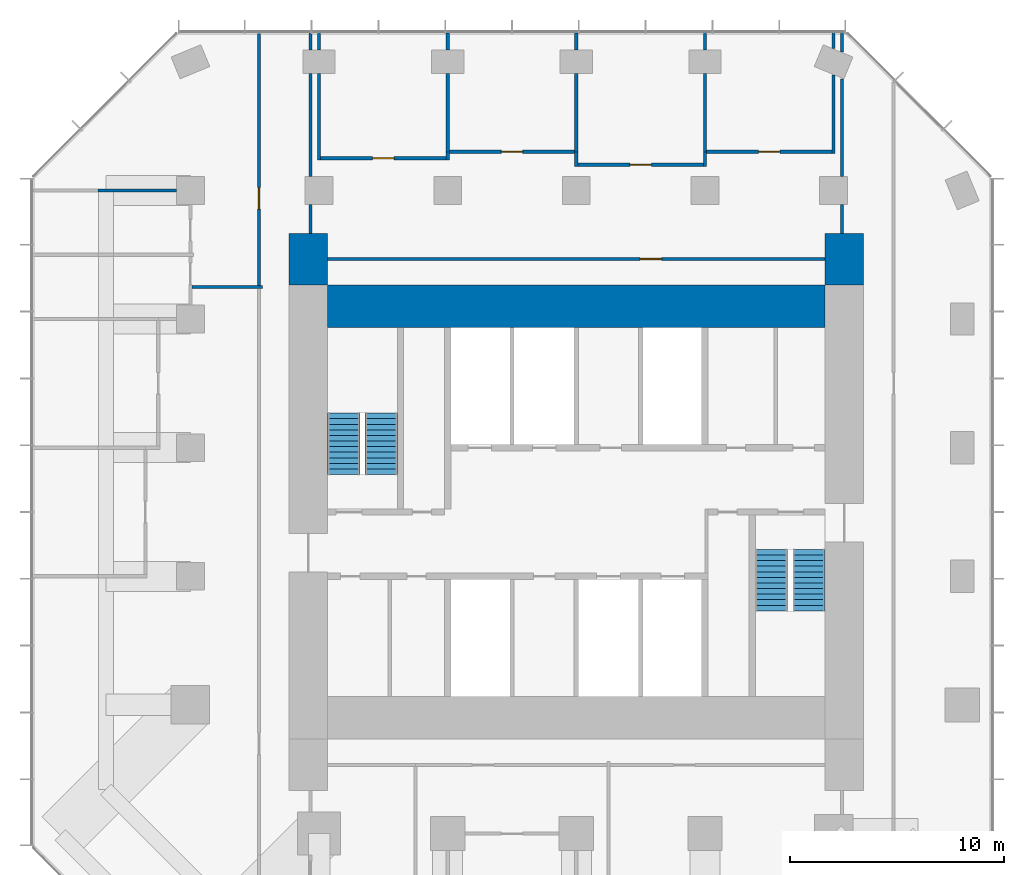
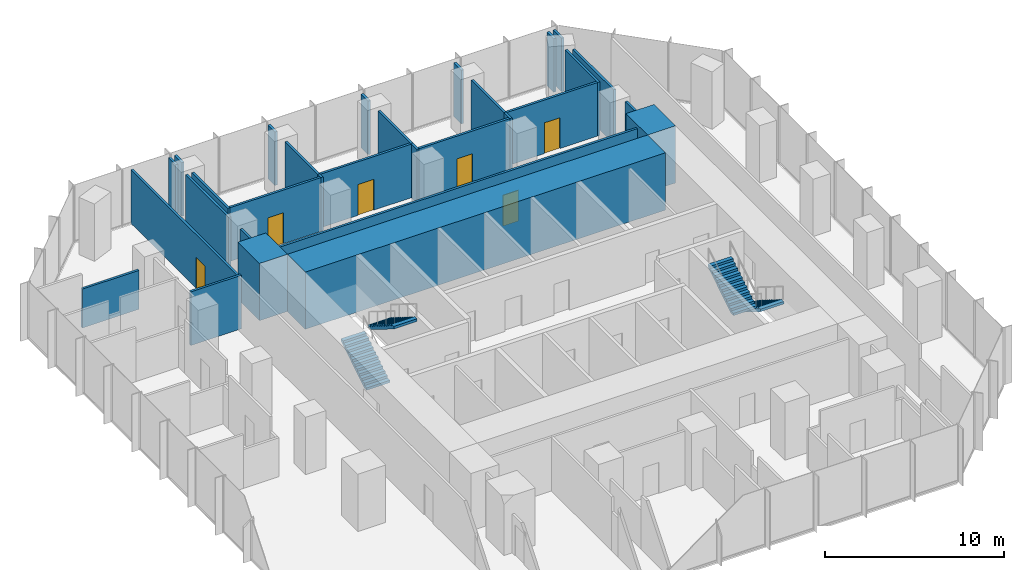
# One storey, part 10 of 11: 30 walls, 6 doors, 4 stair flights, 6 openings, 2 elements without a shape of their own.
"""IFC4 building model written with IfcOpenShell, lengths in metres."""

from ifc_helpers import new_model, si_unit, direction, frame, frame_2d, origin, place, context, subcontext, project, spatial, polyline, rectangle, outline, extrude, material, layer, layer_set, type_object, element, fill, aggregate, save


model = new_model("IFC4")

# Units and contexts
model_context = context("Model", 3, precision=1e-05, world=origin(), true_north=direction((0.0, 1.0)))
body_context = subcontext(model_context, "Body", "Model", "MODEL_VIEW")
ifc_project = project(units=[si_unit("LENGTHUNIT", "METRE"), si_unit("AREAUNIT", "SQUARE_METRE"), si_unit("VOLUMEUNIT", "CUBIC_METRE"), si_unit("PLANEANGLEUNIT", "RADIAN"), si_unit("MASSUNIT", "GRAM", prefix="KILO")], contexts=[model_context])

# Site, building, storey
site_placement = place(None, origin())
site = spatial("IfcSite", under=ifc_project, at=site_placement, CompositionType="ELEMENT")
building_placement = place(site_placement, origin())
building = spatial("IfcBuilding", under=site, at=building_placement, Name="Highveld Stack Headquarters", CompositionType="ELEMENT")
storey_placement = place(building_placement, frame((0.0, 0.0, 216.199951171875)))
storey = spatial("IfcBuildingStorey", under=building, at=storey_placement, Name="L53", CompositionType="ELEMENT", Elevation=216.199951171875)

# Walls
ifc_material_1 = material(Name="Concrete C60/75", Category="concrete")
ifc_layer_1 = layer(ifc_material_1, 2.0)
ifc_layer_set_1 = layer_set([ifc_layer_1], Name="Concrete C60/75")
wall_type_1 = type_object("IfcWallType", Name="CORE WALL 2000 C60/75", PredefinedType="SHEAR", material=ifc_layer_set_1)
wall_1_placement = place(storey_placement, frame((-5.60009765625, 12.60009765625, 0.0), z_axis=(0.0, 0.0, 1.0), x_axis=(1.0, 0.0, 0.0)))
element("IfcWall", 1, at=wall_1_placement, inside=storey, type_object=wall_type_1, Name="Core wall N L53", PredefinedType="SHEAR", context=body_context, shape_type="SweptSolid", body=[
    extrude(rectangle(XDim=23.2001953125, YDim=2.0, at=frame_2d((11.60009765625, 0.0))), origin(), (0.0, 0.0, 1.0), 3.900146484375),
])
ifc_material_2 = material(Name="Concrete C60/75", Category="concrete")
ifc_layer_2 = layer(ifc_material_2, 1.800048828125)
ifc_layer_set_2 = layer_set([ifc_layer_2], Name="Concrete C60/75")
wall_type_2 = type_object("IfcWallType", Name="CORE WING WALL 1800 C60/75", PredefinedType="SHEAR", material=ifc_layer_set_2)
for number, where, z_axis, x_axis, name in (
    (2, (-6.5, 13.60009765625, 0.0), (0.0, 0.0, 1.0), (0.0, 1.0, 0.0), "Core wing wall WN L53"),
    (3, (18.5, 13.60009765625, 0.0), (0.0, 0.0, 1.0), (0.0, 1.0, 0.0), "Core wing wall EN L53"),
):
    element("IfcWall", number, at=place(storey_placement, frame(where, z_axis=z_axis, x_axis=x_axis)), inside=storey, type_object=wall_type_2, Name=name, PredefinedType="SHEAR", context=body_context, shape_type="SweptSolid", body=[
        extrude(rectangle(XDim=2.39990234375, YDim=1.800048828125, at=frame_2d((1.199951171875, 0.0))), origin(), (0.0, 0.0, 1.0), 3.900146484375),
    ])
ifc_material_3 = material(Name="Gypsum plasterboard on steel studs", Category="steel")
ifc_layer_3 = layer(ifc_material_3, 0.14990234375)
ifc_layer_set_3 = layer_set([ifc_layer_3], Name="Gypsum plasterboard on steel studs")
wall_type_3 = type_object("IfcWallType", Name="PARTITION 150 PLASTERBOARD", PredefinedType="PARTITIONING", material=ifc_layer_set_3)
wall_2_placement = place(storey_placement, frame((-16.31005859375, 18.0, 0.0), z_axis=(0.0, 0.0, 1.0), x_axis=(1.0, 0.0, 0.0)))
element("IfcWall", 4, at=wall_2_placement, inside=storey, type_object=wall_type_3, Name="Partition Office L53", PredefinedType="PARTITIONING", context=body_context, shape_type="SweptSolid", body=[
    extrude(rectangle(XDim=3.66015625, YDim=0.14990234375, at=frame_2d((1.830078125, 0.0))), origin(), (0.0, 0.0, 1.0), 2.650146484375),
])

# Wall, opening, door
wall_3_placement = place(storey_placement, frame((6.074951171875, 19.199951171875, 0.0), z_axis=(0.0, 0.0, 1.0), x_axis=(1.0, 0.0, 0.0)))
wall_3 = element("IfcWall", 5, at=wall_3_placement, inside=storey, type_object=wall_type_3, Name="Partition Tea kitchen L53", PredefinedType="PARTITIONING", context=body_context, shape_type="SweptSolid", body=[
    extrude(rectangle(XDim=5.85009765625, YDim=0.14990234375, at=frame_2d((2.925048828125, 0.0))), origin(), (0.0, 0.0, 1.0), 3.650146484375),
])
opening_1_placement = place(wall_3_placement, frame((2.425048828125, 0.0, 0.0)))
opening_1 = element("IfcOpeningElement", 6, at=opening_1_placement, cuts=wall_3, Name="Opening L53-21", PredefinedType="OPENING", context=body_context, shape_type="SweptSolid", body=[
    extrude(rectangle(XDim=1.0, YDim=2.10009765625, at=frame_2d((0.5, 1.050048828125))), frame((0.0, 0.0849609375, 0.0), z_axis=(0.0, -1.0, 0.0), x_axis=(1.0, 0.0, 0.0)), (0.0, 0.0, 1.0), 0.169921875),
])
ifc_material_4 = material(Name="Timber door, oiled ash", Category="wood")
door_type = type_object("IfcDoorType", Name="ROOM DOOR D6 1000x2100", OperationType="SINGLE_SWING_LEFT", PredefinedType="DOOR", material=ifc_material_4)
door_1_placement = place(opening_1_placement, origin())
door_1 = element("IfcDoor", 7, at=door_1_placement, inside=storey, type_object=door_type, Name="Tea kitchen door 1 L53", OperationType="SINGLE_SWING_RIGHT", OverallHeight=2.10009765625, OverallWidth=1.0, PredefinedType="DOOR", context=body_context, shape_type="SweptSolid", body=[
    extrude(rectangle(XDim=1.0, YDim=2.10009765625, at=frame_2d((0.5, 1.050048828125))), frame((0.0, 0.02490234375, 0.0), z_axis=(0.0, -1.0, 0.0), x_axis=(1.0, 0.0, 0.0)), (0.0, 0.0, 1.0), 0.050048828125),
])
fill(opening_1, door_1)

wall_4_placement = place(storey_placement, frame((-5.925048828125, 19.5, 0.0), z_axis=(0.0, 0.0, 1.0), x_axis=(1.0, 0.0, 0.0)))
wall_4 = element("IfcWall", 8, at=wall_4_placement, inside=storey, type_object=wall_type_3, Name="Partition Meeting room L53", PredefinedType="PARTITIONING", context=body_context, shape_type="SweptSolid", body=[
    extrude(rectangle(XDim=5.85009765625, YDim=0.14990234375, at=frame_2d((2.925048828125, 0.0))), origin(), (0.0, 0.0, 1.0), 3.650146484375),
])
opening_2_placement = place(wall_4_placement, frame((2.425048828125, 0.0, 0.0)))
opening_2 = element("IfcOpeningElement", 9, at=opening_2_placement, cuts=wall_4, Name="Opening L53-19", PredefinedType="OPENING", context=body_context, shape_type="SweptSolid", body=[
    extrude(rectangle(XDim=1.0, YDim=2.10009765625, at=frame_2d((0.5, 1.050048828125))), frame((0.0, 0.0849609375, 0.0), z_axis=(0.0, -1.0, 0.0), x_axis=(1.0, 0.0, 0.0)), (0.0, 0.0, 1.0), 0.169921875),
])
door_2_placement = place(opening_2_placement, origin())
door_2 = element("IfcDoor", 10, at=door_2_placement, inside=storey, type_object=door_type, Name="Meeting room door 1 L53", OperationType="SINGLE_SWING_LEFT", OverallHeight=2.10009765625, OverallWidth=1.0, PredefinedType="DOOR", context=body_context, shape_type="SweptSolid", body=[
    extrude(rectangle(XDim=1.0, YDim=2.10009765625, at=frame_2d((0.5, 1.050048828125))), frame((0.0, 0.02490234375, 0.0), z_axis=(0.0, -1.0, 0.0), x_axis=(1.0, 0.0, 0.0)), (0.0, 0.0, 1.0), 0.050048828125),
])
fill(opening_2, door_2)

wall_5_placement = place(storey_placement, frame((0.074951171875, 19.800048828125, 0.0), z_axis=(0.0, 0.0, 1.0), x_axis=(1.0, 0.0, 0.0)))
wall_5 = element("IfcWall", 11, at=wall_5_placement, inside=storey, type_object=wall_type_3, Name="Partition Print room L53", PredefinedType="PARTITIONING", context=body_context, shape_type="SweptSolid", body=[
    extrude(rectangle(XDim=5.85009765625, YDim=0.14990234375, at=frame_2d((2.925048828125, 0.0))), origin(), (0.0, 0.0, 1.0), 3.650146484375),
])
opening_3_placement = place(wall_5_placement, frame((2.425048828125, 0.0, 0.0)))
opening_3 = element("IfcOpeningElement", 12, at=opening_3_placement, cuts=wall_5, Name="Opening L53-20", PredefinedType="OPENING", context=body_context, shape_type="SweptSolid", body=[
    extrude(rectangle(XDim=1.0, YDim=2.10009765625, at=frame_2d((0.5, 1.050048828125))), frame((0.0, 0.0849609375, 0.0), z_axis=(0.0, -1.0, 0.0), x_axis=(1.0, 0.0, 0.0)), (0.0, 0.0, 1.0), 0.169921875),
])
door_3_placement = place(opening_3_placement, origin())
door_3 = element("IfcDoor", 13, at=door_3_placement, inside=storey, type_object=door_type, Name="Print room door 1 L53", OperationType="SINGLE_SWING_LEFT", OverallHeight=2.10009765625, OverallWidth=1.0, PredefinedType="DOOR", context=body_context, shape_type="SweptSolid", body=[
    extrude(rectangle(XDim=1.0, YDim=2.10009765625, at=frame_2d((0.5, 1.050048828125))), frame((0.0, 0.02490234375, 0.0), z_axis=(0.0, -1.0, 0.0), x_axis=(1.0, 0.0, 0.0)), (0.0, 0.0, 1.0), 0.050048828125),
])
fill(opening_3, door_3)

wall_6_placement = place(storey_placement, frame((12.074951171875, 19.800048828125, 0.0), z_axis=(0.0, 0.0, 1.0), x_axis=(1.0, 0.0, 0.0)))
wall_6 = element("IfcWall", 14, at=wall_6_placement, inside=storey, type_object=wall_type_3, Name="Partition Print room L53", PredefinedType="PARTITIONING", context=body_context, shape_type="SweptSolid", body=[
    extrude(rectangle(XDim=5.85009765625, YDim=0.14990234375, at=frame_2d((2.925048828125, 0.0))), origin(), (0.0, 0.0, 1.0), 3.650146484375),
])
opening_4_placement = place(wall_6_placement, frame((2.425048828125, 0.0, 0.0)))
opening_4 = element("IfcOpeningElement", 15, at=opening_4_placement, cuts=wall_6, Name="Opening L53-22", PredefinedType="OPENING", context=body_context, shape_type="SweptSolid", body=[
    extrude(rectangle(XDim=1.0, YDim=2.10009765625, at=frame_2d((0.5, 1.050048828125))), frame((0.0, 0.0849609375, 0.0), z_axis=(0.0, -1.0, 0.0), x_axis=(1.0, 0.0, 0.0)), (0.0, 0.0, 1.0), 0.169921875),
])
door_4_placement = place(opening_4_placement, origin())
door_4 = element("IfcDoor", 16, at=door_4_placement, inside=storey, type_object=door_type, Name="Print room door 1 L53", OperationType="SINGLE_SWING_LEFT", OverallHeight=2.10009765625, OverallWidth=1.0, PredefinedType="DOOR", context=body_context, shape_type="SweptSolid", body=[
    extrude(rectangle(XDim=1.0, YDim=2.10009765625, at=frame_2d((0.5, 1.050048828125))), frame((0.0, 0.02490234375, 0.0), z_axis=(0.0, -1.0, 0.0), x_axis=(1.0, 0.0, 0.0)), (0.0, 0.0, 1.0), 0.050048828125),
])
fill(opening_4, door_4)

# Walls
wall_7_placement = place(storey_placement, frame((-6.0, 19.425048828125, 0.0), z_axis=(0.0, 0.0, 1.0), x_axis=(0.0, 1.0, 0.0)))
element("IfcWall", 17, at=wall_7_placement, inside=storey, type_object=wall_type_3, Name="Partition Meeting room L53", PredefinedType="PARTITIONING", context=body_context, shape_type="SweptSolid", body=[
    extrude(rectangle(XDim=4.02490234375, YDim=0.14990234375, at=frame_2d((2.012451171875, 0.0))), origin(), (0.0, 0.0, 1.0), 3.650146484375),
])
wall_8_placement = place(storey_placement, frame((-6.0, 24.550048828125, 0.0), z_axis=(0.0, 0.0, 1.0), x_axis=(0.0, 1.0, 0.0)))
element("IfcWall", 18, at=wall_8_placement, inside=storey, type_object=wall_type_3, Name="Partition Meeting room L53", PredefinedType="PARTITIONING", context=body_context, shape_type="SweptSolid", body=[
    extrude(rectangle(XDim=0.849853515625, YDim=0.14990234375, at=frame_2d((0.4248046875, 0.0))), origin(), (0.0, 0.0, 1.0), 3.650146484375),
])
wall_9_placement = place(storey_placement, frame((0.0, 19.425048828125, 0.0), z_axis=(0.0, 0.0, 1.0), x_axis=(0.0, 1.0, 0.0)))
element("IfcWall", 19, at=wall_9_placement, inside=storey, type_object=wall_type_3, Name="Partition Meeting room L53", PredefinedType="PARTITIONING", context=body_context, shape_type="SweptSolid", body=[
    extrude(rectangle(XDim=0.375, YDim=0.14990234375, at=frame_2d((0.1875, 0.0))), origin(), (0.0, 0.0, 1.0), 3.650146484375),
])
wall_10_placement = place(storey_placement, frame((0.0, 19.800048828125, 0.0), z_axis=(0.0, 0.0, 1.0), x_axis=(0.0, 1.0, 0.0)))
element("IfcWall", 20, at=wall_10_placement, inside=storey, type_object=wall_type_3, Name="Partition Meeting room / Print room L53", PredefinedType="PARTITIONING", context=body_context, shape_type="SweptSolid", body=[
    extrude(rectangle(XDim=3.64990234375, YDim=0.14990234375, at=frame_2d((1.824951171875, 0.0))), origin(), (0.0, 0.0, 1.0), 3.650146484375),
])
wall_11_placement = place(storey_placement, frame((0.0, 24.550048828125, 0.0), z_axis=(0.0, 0.0, 1.0), x_axis=(0.0, 1.0, 0.0)))
element("IfcWall", 21, at=wall_11_placement, inside=storey, type_object=wall_type_3, Name="Partition Meeting room / Print room L53", PredefinedType="PARTITIONING", context=body_context, shape_type="SweptSolid", body=[
    extrude(rectangle(XDim=0.800048828125, YDim=0.14990234375, at=frame_2d((0.39990234375, 0.0))), origin(), (0.0, 0.0, 1.0), 3.650146484375),
])
wall_12_placement = place(storey_placement, frame((6.0, 19.125, 0.0), z_axis=(0.0, 0.0, 1.0), x_axis=(0.0, 1.0, 0.0)))
element("IfcWall", 22, at=wall_12_placement, inside=storey, type_object=wall_type_3, Name="Partition Tea kitchen L53", PredefinedType="PARTITIONING", context=body_context, shape_type="SweptSolid", body=[
    extrude(rectangle(XDim=0.675048828125, YDim=0.14990234375, at=frame_2d((0.33740234375, 0.0))), origin(), (0.0, 0.0, 1.0), 3.650146484375),
])
wall_13_placement = place(storey_placement, frame((6.0, 19.800048828125, 0.0), z_axis=(0.0, 0.0, 1.0), x_axis=(0.0, 1.0, 0.0)))
element("IfcWall", 23, at=wall_13_placement, inside=storey, type_object=wall_type_3, Name="Partition Print room / Tea kitchen L53", PredefinedType="PARTITIONING", context=body_context, shape_type="SweptSolid", body=[
    extrude(rectangle(XDim=3.64990234375, YDim=0.14990234375, at=frame_2d((1.824951171875, 0.0))), origin(), (0.0, 0.0, 1.0), 3.650146484375),
])
wall_14_placement = place(storey_placement, frame((6.0, 24.550048828125, 0.0), z_axis=(0.0, 0.0, 1.0), x_axis=(0.0, 1.0, 0.0)))
element("IfcWall", 24, at=wall_14_placement, inside=storey, type_object=wall_type_3, Name="Partition Print room / Tea kitchen L53", PredefinedType="PARTITIONING", context=body_context, shape_type="SweptSolid", body=[
    extrude(rectangle(XDim=0.800048828125, YDim=0.14990234375, at=frame_2d((0.39990234375, 0.0))), origin(), (0.0, 0.0, 1.0), 3.650146484375),
])
wall_15_placement = place(storey_placement, frame((12.0, 19.125, 0.0), z_axis=(0.0, 0.0, 1.0), x_axis=(0.0, 1.0, 0.0)))
element("IfcWall", 25, at=wall_15_placement, inside=storey, type_object=wall_type_3, Name="Partition Tea kitchen L53", PredefinedType="PARTITIONING", context=body_context, shape_type="SweptSolid", body=[
    extrude(rectangle(XDim=0.675048828125, YDim=0.14990234375, at=frame_2d((0.33740234375, 0.0))), origin(), (0.0, 0.0, 1.0), 3.650146484375),
])
wall_16_placement = place(storey_placement, frame((12.0, 19.800048828125, 0.0), z_axis=(0.0, 0.0, 1.0), x_axis=(0.0, 1.0, 0.0)))
element("IfcWall", 26, at=wall_16_placement, inside=storey, type_object=wall_type_3, Name="Partition Print room / Tea kitchen L53", PredefinedType="PARTITIONING", context=body_context, shape_type="SweptSolid", body=[
    extrude(rectangle(XDim=3.64990234375, YDim=0.14990234375, at=frame_2d((1.824951171875, 0.0))), origin(), (0.0, 0.0, 1.0), 3.650146484375),
])
wall_17_placement = place(storey_placement, frame((12.0, 24.550048828125, 0.0), z_axis=(0.0, 0.0, 1.0), x_axis=(0.0, 1.0, 0.0)))
element("IfcWall", 27, at=wall_17_placement, inside=storey, type_object=wall_type_3, Name="Partition Print room / Tea kitchen L53", PredefinedType="PARTITIONING", context=body_context, shape_type="SweptSolid", body=[
    extrude(rectangle(XDim=0.849853515625, YDim=0.14990234375, at=frame_2d((0.4248046875, 0.0))), origin(), (0.0, 0.0, 1.0), 3.650146484375),
])
wall_18_placement = place(storey_placement, frame((18.0, 19.72509765625, 0.0), z_axis=(0.0, 0.0, 1.0), x_axis=(0.0, 1.0, 0.0)))
element("IfcWall", 28, at=wall_18_placement, inside=storey, type_object=wall_type_3, Name="Partition Print room L53", PredefinedType="PARTITIONING", context=body_context, shape_type="SweptSolid", body=[
    extrude(rectangle(XDim=3.6484375, YDim=0.14990234375, at=frame_2d((1.82421875, 0.0))), origin(), (0.0, 0.0, 1.0), 3.650146484375),
])
wall_19_placement = place(storey_placement, frame((18.0, 24.62646484375, 0.0), z_axis=(0.0, 0.0, 1.0), x_axis=(0.0, 1.0, 0.0)))
element("IfcWall", 29, at=wall_19_placement, inside=storey, type_object=wall_type_3, Name="Partition Print room L53", PredefinedType="PARTITIONING", context=body_context, shape_type="SweptSolid", body=[
    extrude(rectangle(XDim=0.7734375, YDim=0.14990234375, at=frame_2d((0.38671875, 0.0))), origin(), (0.0, 0.0, 1.0), 3.650146484375),
])
wall_20_placement = place(storey_placement, frame((-11.925048828125, 13.5, 0.0), z_axis=(0.0, 0.0, 1.0), x_axis=(1.0, 0.0, 0.0)))
element("IfcWall", 30, at=wall_20_placement, inside=storey, type_object=wall_type_3, Name="Partition office neighbourhood L53", PredefinedType="PARTITIONING", context=body_context, shape_type="SweptSolid", body=[
    extrude(rectangle(XDim=3.275146484375, YDim=0.14990234375, at=frame_2d((1.6376953125, 0.0))), origin(), (0.0, 0.0, 1.0), 3.650146484375),
])

# Wall, opening, door
wall_21_placement = place(storey_placement, frame((-8.800048828125, 13.574951171875, 0.0), z_axis=(0.0, 0.0, 1.0), x_axis=(0.0, 1.0, 0.0)))
wall_21 = element("IfcWall", 31, at=wall_21_placement, inside=storey, type_object=wall_type_3, Name="Partition office neighbourhood L53", PredefinedType="PARTITIONING", context=body_context, shape_type="SweptSolid", body=[
    extrude(rectangle(XDim=11.824951171875, YDim=0.14990234375, at=frame_2d((5.91259765625, 0.0))), origin(), (0.0, 0.0, 1.0), 3.650146484375),
])
opening_5_placement = place(wall_21_placement, frame((3.554931640625, 0.0, 0.0)))
opening_5 = element("IfcOpeningElement", 32, at=opening_5_placement, cuts=wall_21, Name="Opening L53-29", PredefinedType="OPENING", context=body_context, shape_type="SweptSolid", body=[
    extrude(rectangle(XDim=1.0, YDim=2.10009765625, at=frame_2d((0.5, 1.050048828125))), frame((0.0, 0.0849609375, 0.0), z_axis=(0.0, -1.0, 0.0), x_axis=(1.0, 0.0, 0.0)), (0.0, 0.0, 1.0), 0.169921875),
])
door_5_placement = place(opening_5_placement, origin())
door_5 = element("IfcDoor", 33, at=door_5_placement, inside=storey, type_object=door_type, Name="Office neighbourhood door L53", OperationType="SINGLE_SWING_LEFT", OverallHeight=2.10009765625, OverallWidth=1.0, PredefinedType="DOOR", context=body_context, shape_type="SweptSolid", body=[
    extrude(rectangle(XDim=1.0, YDim=2.10009765625, at=frame_2d((0.5, 1.050048828125))), frame((0.0, 0.02490234375, 0.0), z_axis=(0.0, -1.0, 0.0), x_axis=(1.0, 0.0, 0.0)), (0.0, 0.0, 1.0), 0.050048828125),
])
fill(opening_5, door_5)

# Walls
wall_22_placement = place(storey_placement, frame((-6.39990234375, 16.0, 0.0), z_axis=(0.0, 0.0, 1.0), x_axis=(0.0, 1.0, 0.0)))
element("IfcWall", 34, at=wall_22_placement, inside=storey, type_object=wall_type_3, Name="Partition office neighbourhood L53", PredefinedType="PARTITIONING", context=body_context, shape_type="SweptSolid", body=[
    extrude(rectangle(XDim=1.35009765625, YDim=0.14990234375, at=frame_2d((0.675048828125, 0.0))), origin(), (0.0, 0.0, 1.0), 3.650146484375),
])
wall_23_placement = place(storey_placement, frame((-6.39990234375, 18.64990234375, 0.0), z_axis=(0.0, 0.0, 1.0), x_axis=(0.0, 1.0, 0.0)))
element("IfcWall", 35, at=wall_23_placement, inside=storey, type_object=wall_type_3, Name="Partition office neighbourhood L53", PredefinedType="PARTITIONING", context=body_context, shape_type="SweptSolid", body=[
    extrude(rectangle(XDim=4.800048828125, YDim=0.14990234375, at=frame_2d((2.39990234375, 0.0))), origin(), (0.0, 0.0, 1.0), 3.650146484375),
])
wall_24_placement = place(storey_placement, frame((-6.39990234375, 24.550048828125, 0.0), z_axis=(0.0, 0.0, 1.0), x_axis=(0.0, 1.0, 0.0)))
element("IfcWall", 36, at=wall_24_placement, inside=storey, type_object=wall_type_3, Name="Partition office neighbourhood L53", PredefinedType="PARTITIONING", context=body_context, shape_type="SweptSolid", body=[
    extrude(rectangle(XDim=0.800048828125, YDim=0.14990234375, at=frame_2d((0.39990234375, 0.0))), origin(), (0.0, 0.0, 1.0), 3.650146484375),
])

# Wall, opening, door
wall_25_placement = place(storey_placement, frame((-5.60009765625, 14.800048828125, 0.0), z_axis=(0.0, 0.0, 1.0), x_axis=(1.0, 0.0, 0.0)))
wall_25 = element("IfcWall", 37, at=wall_25_placement, inside=storey, type_object=wall_type_3, Name="Partition office neighbourhood L53", PredefinedType="PARTITIONING", context=body_context, shape_type="SweptSolid", body=[
    extrude(rectangle(XDim=23.2001953125, YDim=0.14990234375, at=frame_2d((11.60009765625, 0.0))), origin(), (0.0, 0.0, 1.0), 3.650146484375),
])
opening_6_placement = place(wall_25_placement, frame((14.580078125, 0.0, 0.0)))
opening_6 = element("IfcOpeningElement", 38, at=opening_6_placement, cuts=wall_25, Name="Opening L53-28", PredefinedType="OPENING", context=body_context, shape_type="SweptSolid", body=[
    extrude(rectangle(XDim=1.0, YDim=2.10009765625, at=frame_2d((0.5, 1.050048828125))), frame((0.0, 0.0849609375, 0.0), z_axis=(0.0, -1.0, 0.0), x_axis=(1.0, 0.0, 0.0)), (0.0, 0.0, 1.0), 0.169921875),
])
door_6_placement = place(opening_6_placement, origin())
door_6 = element("IfcDoor", 39, at=door_6_placement, inside=storey, type_object=door_type, Name="Office neighbourhood door L53", OperationType="SINGLE_SWING_RIGHT", OverallHeight=2.10009765625, OverallWidth=1.0, PredefinedType="DOOR", context=body_context, shape_type="SweptSolid", body=[
    extrude(rectangle(XDim=1.0, YDim=2.10009765625, at=frame_2d((0.5, 1.050048828125))), frame((0.0, 0.02490234375, 0.0), z_axis=(0.0, -1.0, 0.0), x_axis=(1.0, 0.0, 0.0)), (0.0, 0.0, 1.0), 0.050048828125),
])
fill(opening_6, door_6)

# Walls
wall_26_placement = place(storey_placement, frame((18.39990234375, 16.0, 0.0), z_axis=(0.0, 0.0, 1.0), x_axis=(0.0, 1.0, 0.0)))
element("IfcWall", 40, at=wall_26_placement, inside=storey, type_object=wall_type_3, Name="Partition office neighbourhood L53", PredefinedType="PARTITIONING", context=body_context, shape_type="SweptSolid", body=[
    extrude(rectangle(XDim=1.35009765625, YDim=0.14990234375, at=frame_2d((0.675048828125, 0.0))), origin(), (0.0, 0.0, 1.0), 3.650146484375),
])
wall_27_placement = place(storey_placement, frame((18.39990234375, 18.64990234375, 0.0), z_axis=(0.0, 0.0, 1.0), x_axis=(0.0, 1.0, 0.0)))
element("IfcWall", 41, at=wall_27_placement, inside=storey, type_object=wall_type_3, Name="Partition office neighbourhood L53", PredefinedType="PARTITIONING", context=body_context, shape_type="SweptSolid", body=[
    extrude(rectangle(XDim=4.55810546875, YDim=0.14990234375, at=frame_2d((2.279052734375, 0.0))), origin(), (0.0, 0.0, 1.0), 3.650146484375),
])
wall_28_placement = place(storey_placement, frame((18.39990234375, 24.460693359375, 0.0), z_axis=(0.0, 0.0, 1.0), x_axis=(0.0, 1.0, 0.0)))
element("IfcWall", 42, at=wall_28_placement, inside=storey, type_object=wall_type_3, Name="Partition office neighbourhood L53", PredefinedType="PARTITIONING", context=body_context, shape_type="SweptSolid", body=[
    extrude(rectangle(XDim=0.939208984375, YDim=0.14990234375, at=frame_2d((0.4697265625, 0.0))), origin(), (0.0, 0.0, 1.0), 3.650146484375),
])

# Stair, stair flights
ifc_material_5 = material(Name="Concrete C40/50, precast", Category="concrete")
stair_type_1 = type_object("IfcStairType", Name="STAIR S1 HALF TURN 1500", PredefinedType="HALF_TURN_STAIR", material=ifc_material_5)
stair_1_placement = place(storey_placement, origin())
stair_1 = element("IfcStair", 43, at=stair_1_placement, inside=storey, type_object=stair_type_1, Name="Stair S1 L53", PredefinedType="HALF_TURN_STAIR")
ifc_material_6 = material(Name="Concrete C40/50, precast", Category="concrete")
stair_flight_type = type_object("IfcStairFlightType", Name="STAIR FLIGHT 1500 PRECAST", PredefinedType="STRAIGHT", material=ifc_material_6)
stair_flight_1_placement = place(storey_placement, frame((-4.85009765625, 4.75, 0.0), z_axis=(0.0, 0.0, 1.0), x_axis=(0.0, 1.0, 0.0)))
stair_flight_1 = element("IfcStairFlight", 44, at=stair_flight_1_placement, type_object=stair_flight_type, Name="S1 flight 1", NumberOfRisers=12, NumberOfTreads=11, PredefinedType="STRAIGHT", RiserHeight=0.1625, TreadLength=0.26, context=body_context, shape_type="SweptSolid", body=[
    extrude(outline(polyline([(0.0, 0.0), (0.0, 0.16259765625), (0.260009765625, 0.16259765625), (0.260009765625, 0.324951171875), (0.52001953125, 0.324951171875), (0.52001953125, 0.487548828125), (0.780029296875, 0.487548828125), (0.780029296875, 0.64990234375), (1.0400390625, 0.64990234375), (1.0400390625, 0.8125), (1.300048828125, 0.8125), (1.300048828125, 0.97509765625), (1.56005859375, 0.97509765625), (1.56005859375, 1.137451171875), (1.820068359375, 1.137451171875), (1.820068359375, 1.300048828125), (2.080078125, 1.300048828125), (2.080078125, 1.46240234375), (2.340087890625, 1.46240234375), (2.340087890625, 1.625), (2.60009765625, 1.625), (2.60009765625, 1.78759765625), (2.860107421875, 1.78759765625), (2.860107421875, 1.949951171875), (2.860107421875, 1.61083984375), (0.28271484375, 0.0), (0.0, 0.0)])), frame((0.0, 0.75, 0.0), z_axis=(0.0, -1.0, 0.0), x_axis=(1.0, 0.0, 0.0)), (0.0, 0.0, 1.0), 1.5),
])
stair_flight_2_placement = place(storey_placement, frame((-3.10009765625, 7.610107421875, 1.949951171875), z_axis=(0.0, 0.0, 1.0), x_axis=(0.0, -1.0, 0.0)))
stair_flight_2 = element("IfcStairFlight", 45, at=stair_flight_2_placement, type_object=stair_flight_type, Name="S1 flight 2", NumberOfRisers=12, NumberOfTreads=11, PredefinedType="STRAIGHT", RiserHeight=0.1625, TreadLength=0.26, context=body_context, shape_type="SweptSolid", body=[
    extrude(outline(polyline([(0.0, 0.0), (0.0, 0.16259765625), (0.260009765625, 0.16259765625), (0.260009765625, 0.324951171875), (0.52001953125, 0.324951171875), (0.52001953125, 0.487548828125), (0.780029296875, 0.487548828125), (0.780029296875, 0.64990234375), (1.0400390625, 0.64990234375), (1.0400390625, 0.8125), (1.300048828125, 0.8125), (1.300048828125, 0.97509765625), (1.56005859375, 0.97509765625), (1.56005859375, 1.137451171875), (1.820068359375, 1.137451171875), (1.820068359375, 1.300048828125), (2.080078125, 1.300048828125), (2.080078125, 1.46240234375), (2.340087890625, 1.46240234375), (2.340087890625, 1.625), (2.60009765625, 1.625), (2.60009765625, 1.78759765625), (2.860107421875, 1.78759765625), (2.860107421875, 1.949951171875), (2.860107421875, 1.61083984375), (0.28271484375, 0.0), (0.0, 0.0)])), frame((0.0, 0.75, 0.0), z_axis=(0.0, -1.0, 0.0), x_axis=(1.0, 0.0, 0.0)), (0.0, 0.0, 1.0), 1.5),
])
aggregate(stair_1, [stair_flight_1, stair_flight_2])

ifc_material_7 = material(Name="Concrete C40/50, precast", Category="concrete")
stair_type_2 = type_object("IfcStairType", Name="STAIR S2 HALF TURN 1500", PredefinedType="HALF_TURN_STAIR", material=ifc_material_7)
stair_2_placement = place(storey_placement, origin())
stair_2 = element("IfcStair", 46, at=stair_2_placement, inside=storey, type_object=stair_type_2, Name="Stair S2 L53", PredefinedType="HALF_TURN_STAIR")
stair_flight_3_placement = place(storey_placement, frame((16.85009765625, 1.25, 0.0), z_axis=(0.0, 0.0, 1.0), x_axis=(0.0, -1.0, 0.0)))
stair_flight_3 = element("IfcStairFlight", 47, at=stair_flight_3_placement, type_object=stair_flight_type, Name="S2 flight 1", NumberOfRisers=12, NumberOfTreads=11, PredefinedType="STRAIGHT", RiserHeight=0.1625, TreadLength=0.26, context=body_context, shape_type="SweptSolid", body=[
    extrude(outline(polyline([(0.0, 0.0), (0.0, 0.16259765625), (0.260009765625, 0.16259765625), (0.260009765625, 0.324951171875), (0.52001953125, 0.324951171875), (0.52001953125, 0.487548828125), (0.780029296875, 0.487548828125), (0.780029296875, 0.64990234375), (1.0400390625, 0.64990234375), (1.0400390625, 0.8125), (1.300048828125, 0.8125), (1.300048828125, 0.97509765625), (1.56005859375, 0.97509765625), (1.56005859375, 1.137451171875), (1.820068359375, 1.137451171875), (1.820068359375, 1.300048828125), (2.080078125, 1.300048828125), (2.080078125, 1.46240234375), (2.340087890625, 1.46240234375), (2.340087890625, 1.625), (2.60009765625, 1.625), (2.60009765625, 1.78759765625), (2.860107421875, 1.78759765625), (2.860107421875, 1.949951171875), (2.860107421875, 1.61083984375), (0.28271484375, 0.0), (0.0, 0.0)])), frame((0.0, 0.75, 0.0), z_axis=(0.0, -1.0, 0.0), x_axis=(1.0, 0.0, 0.0)), (0.0, 0.0, 1.0), 1.5),
])
stair_flight_4_placement = place(storey_placement, frame((15.10009765625, -1.610107421875, 1.949951171875), z_axis=(0.0, 0.0, 1.0), x_axis=(0.0, 1.0, 0.0)))
stair_flight_4 = element("IfcStairFlight", 48, at=stair_flight_4_placement, type_object=stair_flight_type, Name="S2 flight 2", NumberOfRisers=12, NumberOfTreads=11, PredefinedType="STRAIGHT", RiserHeight=0.1625, TreadLength=0.26, context=body_context, shape_type="SweptSolid", body=[
    extrude(outline(polyline([(0.0, 0.0), (0.0, 0.16259765625), (0.260009765625, 0.16259765625), (0.260009765625, 0.324951171875), (0.52001953125, 0.324951171875), (0.52001953125, 0.487548828125), (0.780029296875, 0.487548828125), (0.780029296875, 0.64990234375), (1.0400390625, 0.64990234375), (1.0400390625, 0.8125), (1.300048828125, 0.8125), (1.300048828125, 0.97509765625), (1.56005859375, 0.97509765625), (1.56005859375, 1.137451171875), (1.820068359375, 1.137451171875), (1.820068359375, 1.300048828125), (2.080078125, 1.300048828125), (2.080078125, 1.46240234375), (2.340087890625, 1.46240234375), (2.340087890625, 1.625), (2.60009765625, 1.625), (2.60009765625, 1.78759765625), (2.860107421875, 1.78759765625), (2.860107421875, 1.949951171875), (2.860107421875, 1.61083984375), (0.28271484375, 0.0), (0.0, 0.0)])), frame((0.0, 0.75, 0.0), z_axis=(0.0, -1.0, 0.0), x_axis=(1.0, 0.0, 0.0)), (0.0, 0.0, 1.0), 1.5),
])
aggregate(stair_2, [stair_flight_3, stair_flight_4])

save(model, "model.ifc")
